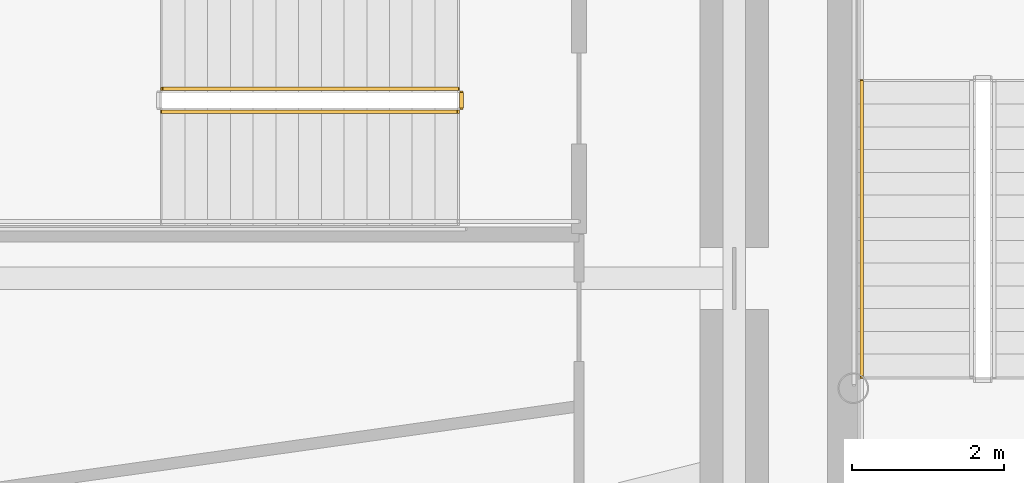
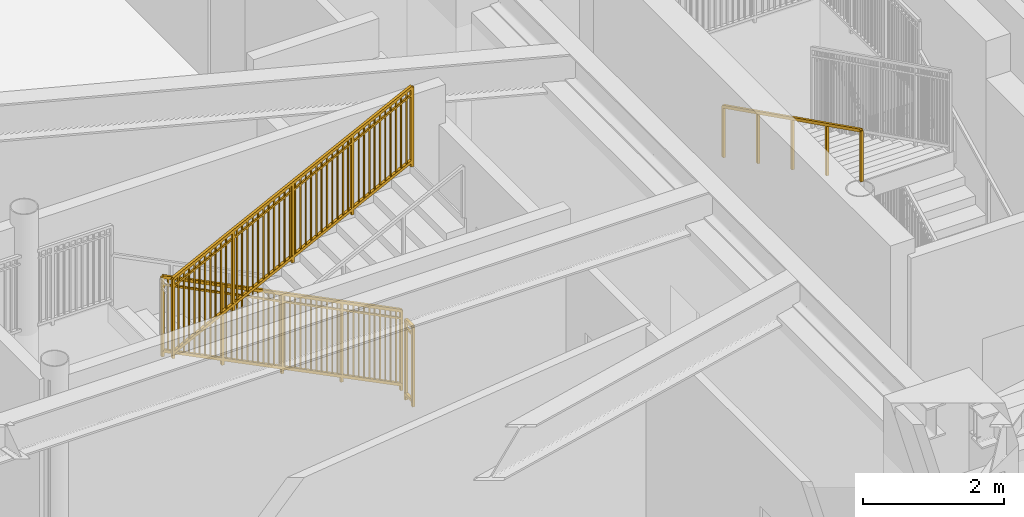
# One storey, part 23 of 32: 4 railings.
"""IFC4 building model written with IfcOpenShell, lengths in metres."""

from ifc_helpers import new_model, si_unit, direction, frame, origin, origin_2d, place, context, subcontext, project, spatial, rectangle, extrude, source, transform, mapped, material, type_object, element, save


model = new_model("IFC4")

# Units and contexts
model_context = context("Model", 3, precision=1e-05, world=origin(), true_north=direction((0.0, 1.0)))
body_context = subcontext(model_context, "Body", "Model", "MODEL_VIEW")
ifc_project = project(units=[si_unit("LENGTHUNIT", "METRE"), si_unit("AREAUNIT", "SQUARE_METRE"), si_unit("VOLUMEUNIT", "CUBIC_METRE"), si_unit("PLANEANGLEUNIT", "RADIAN"), si_unit("MASSUNIT", "GRAM", prefix="KILO")], contexts=[model_context])

# Site, building, storey
site_placement = place(None, origin())
site = spatial("IfcSite", under=ifc_project, at=site_placement, CompositionType="ELEMENT")
building_placement = place(site_placement, origin())
building = spatial("IfcBuilding", under=site, at=building_placement, Name="Linh Dai School and Residence Tower", CompositionType="ELEMENT")
storey_placement = place(building_placement, frame((0.0, 0.0, 40.800048828125)))
storey = spatial("IfcBuildingStorey", under=building, at=storey_placement, Name="L09", CompositionType="ELEMENT", Elevation=40.800048828125)

# Railings
ifc_material_1 = material(Name="Brushed Stainless Steel Handrail", Category="steel")
railing_type_1 = type_object("IfcRailingType", Name="RL-ST-HANDRAIL-900", PredefinedType="HANDRAIL", material=ifc_material_1)
shared_shape_1 = source(origin(), body_context, "Body", "SweptSolid", [
    extrude(rectangle(XDim=0.048095703125, YDim=0.048095703125, at=origin_2d()), frame((0.0, 0.0, 0.8759765625), z_axis=(0.0, -0.894438388696, 0.447191199406), x_axis=(1.0, 0.0, 0.0)), (0.0, 0.0, 1.0), 4.3603515625),
    extrude(rectangle(XDim=0.0419921875, YDim=0.0419921875, at=origin_2d()), origin(), (0.0, 0.0, 1.0), 0.8759765625),
    extrude(rectangle(XDim=0.0419921875, YDim=0.0419921875, at=origin_2d()), frame((0.0, -0.97509765625, 0.487548828125)), (0.0, 0.0, 1.0), 0.8759765625),
    extrude(rectangle(XDim=0.0419921875, YDim=0.0419921875, at=origin_2d()), frame((0.0, -1.9501953125, 0.97509765625)), (0.0, 0.0, 1.0), 0.8759765625),
    extrude(rectangle(XDim=0.0419921875, YDim=0.0419921875, at=origin_2d()), frame((0.0, -2.925048828125, 1.46240234375)), (0.0, 0.0, 1.0), 0.8759765625),
    extrude(rectangle(XDim=0.0419921875, YDim=0.0419921875, at=origin_2d()), frame((0.0, -3.900146484375, 1.949951171875)), (0.0, 0.0, 1.0), 0.8759765625),
])
railing_1_placement = place(storey_placement, frame((27.72998046875, 29.60009765625, 2.25)))
element("IfcRailing", 1, at=railing_1_placement, inside=storey, type_object=railing_type_1, Name="L09 ST1 stair handrail 2", PredefinedType="HANDRAIL", context=body_context, shape_type="MappedRepresentation", body=[
    mapped(shared_shape_1, transform((0.0, 0.0, 0.0), x_axis=(1.0, 0.0, 0.0), y_axis=(0.0, 1.0, 0.0), z_axis=(0.0, 0.0, 1.0), scale=1.0)),
])
ifc_material_2 = material(Name="Structural Steel S355JR", Category="steel")
railing_type_2 = type_object("IfcRailingType", Name="RL-ST-GUARD-1400", PredefinedType="GUARDRAIL", material=ifc_material_2)
shared_shape_2 = source(origin(), body_context, "Body", "SweptSolid", [
    extrude(rectangle(XDim=0.048095703125, YDim=0.048095703125, at=origin_2d()), frame((0.0, 0.0, 1.3759765625), z_axis=(0.0, -1.0, 0.0), x_axis=(1.0, 0.0, 0.0)), (0.0, 0.0, 1.0), 0.199951171875),
    extrude(rectangle(XDim=0.048095703125, YDim=0.048095703125, at=origin_2d()), frame((0.0, 0.0, 0.10009765625), z_axis=(0.0, -1.0, 0.0), x_axis=(1.0, 0.0, 0.0)), (0.0, 0.0, 1.0), 0.199951171875),
    extrude(rectangle(XDim=0.030029296875, YDim=0.030029296875, at=origin_2d()), frame((0.0, 0.0, 1.239990234375), z_axis=(0.0, -1.0, 0.0), x_axis=(1.0, 0.0, 0.0)), (0.0, 0.0, 1.0), 0.199951171875),
    extrude(rectangle(XDim=0.0419921875, YDim=0.0419921875, at=origin_2d()), origin(), (0.0, 0.0, 1.0), 1.3759765625),
    extrude(rectangle(XDim=0.0419921875, YDim=0.0419921875, at=origin_2d()), frame((0.0, -0.199951171875, 0.0)), (0.0, 0.0, 1.0), 1.3759765625),
])
railing_2_placement = place(storey_placement, frame((22.449951171875, 29.449951171875, 0.0)))
element("IfcRailing", 2, at=railing_2_placement, inside=storey, type_object=railing_type_2, Name="L09 STS1 stair guard 7", PredefinedType="GUARDRAIL", context=body_context, shape_type="MappedRepresentation", body=[
    mapped(shared_shape_2, transform((0.0, 0.0, 0.0), x_axis=(1.0, 0.0, 0.0), y_axis=(0.0, 1.0, 0.0), z_axis=(0.0, 0.0, 1.0), scale=1.0)),
])
shared_shape_3 = source(origin(), body_context, "Body", "SweptSolid", [
    extrude(rectangle(XDim=0.048095703125, YDim=0.048095703125, at=origin_2d()), frame((0.0, 0.0, 1.3759765625), z_axis=(0.894427191, 0.0, 0.4472135955), x_axis=(0.0, 1.0, 0.0)), (0.0, 0.0, 1.0), 4.360107421875),
    extrude(rectangle(XDim=0.048095703125, YDim=0.048095703125, at=origin_2d()), frame((0.0, 0.0, 0.10009765625), z_axis=(0.894427191, 0.0, 0.4472135955), x_axis=(0.0, 1.0, 0.0)), (0.0, 0.0, 1.0), 4.360107421875),
    extrude(rectangle(XDim=0.030029296875, YDim=0.030029296875, at=origin_2d()), frame((0.0, 0.0, 1.239990234375), z_axis=(0.894427191, 0.0, 0.4472135955), x_axis=(0.0, 1.0, 0.0)), (0.0, 0.0, 1.0), 4.360107421875),
    extrude(rectangle(XDim=0.02001953125, YDim=0.02001953125, at=origin_2d()), frame((0.086669921875, 0.0, 0.143310546875)), (0.0, 0.0, 1.0), 1.251708984375),
    extrude(rectangle(XDim=0.02001953125, YDim=0.02001953125, at=origin_2d()), frame((0.17333984375, 0.0, 0.186767578125)), (0.0, 0.0, 1.0), 1.251708984375),
    extrude(rectangle(XDim=0.02001953125, YDim=0.02001953125, at=origin_2d()), frame((0.260009765625, 0.0, 0.22998046875)), (0.0, 0.0, 1.0), 1.251708984375),
    extrude(rectangle(XDim=0.02001953125, YDim=0.02001953125, at=origin_2d()), frame((0.3466796875, 0.0, 0.2734375)), (0.0, 0.0, 1.0), 1.251708984375),
    extrude(rectangle(XDim=0.02001953125, YDim=0.02001953125, at=origin_2d()), frame((0.433349609375, 0.0, 0.316650390625)), (0.0, 0.0, 1.0), 1.251708984375),
    extrude(rectangle(XDim=0.02001953125, YDim=0.02001953125, at=origin_2d()), frame((0.52001953125, 0.0, 0.360107421875)), (0.0, 0.0, 1.0), 1.251708984375),
    extrude(rectangle(XDim=0.02001953125, YDim=0.02001953125, at=origin_2d()), frame((0.606689453125, 0.0, 0.4033203125)), (0.0, 0.0, 1.0), 1.251708984375),
    extrude(rectangle(XDim=0.02001953125, YDim=0.02001953125, at=origin_2d()), frame((0.693359375, 0.0, 0.44677734375)), (0.0, 0.0, 1.0), 1.251708984375),
    extrude(rectangle(XDim=0.02001953125, YDim=0.02001953125, at=origin_2d()), frame((0.780029296875, 0.0, 0.489990234375)), (0.0, 0.0, 1.0), 1.251708984375),
    extrude(rectangle(XDim=0.02001953125, YDim=0.02001953125, at=origin_2d()), frame((0.86669921875, 0.0, 0.533447265625)), (0.0, 0.0, 1.0), 1.251708984375),
    extrude(rectangle(XDim=0.02001953125, YDim=0.02001953125, at=origin_2d()), frame((1.0400390625, 0.0, 0.6201171875)), (0.0, 0.0, 1.0), 1.251708984375),
    extrude(rectangle(XDim=0.02001953125, YDim=0.02001953125, at=origin_2d()), frame((1.126708984375, 0.0, 0.663330078125)), (0.0, 0.0, 1.0), 1.251708984375),
    extrude(rectangle(XDim=0.02001953125, YDim=0.02001953125, at=origin_2d()), frame((1.21337890625, 0.0, 0.706787109375)), (0.0, 0.0, 1.0), 1.251708984375),
    extrude(rectangle(XDim=0.02001953125, YDim=0.02001953125, at=origin_2d()), frame((1.300048828125, 0.0, 0.75)), (0.0, 0.0, 1.0), 1.251708984375),
    extrude(rectangle(XDim=0.02001953125, YDim=0.02001953125, at=origin_2d()), frame((1.38671875, 0.0, 0.79345703125)), (0.0, 0.0, 1.0), 1.251708984375),
    extrude(rectangle(XDim=0.02001953125, YDim=0.02001953125, at=origin_2d()), frame((1.473388671875, 0.0, 0.836669921875)), (0.0, 0.0, 1.0), 1.251708984375),
    extrude(rectangle(XDim=0.02001953125, YDim=0.02001953125, at=origin_2d()), frame((1.56005859375, 0.0, 0.880126953125)), (0.0, 0.0, 1.0), 1.251708984375),
    extrude(rectangle(XDim=0.02001953125, YDim=0.02001953125, at=origin_2d()), frame((1.646728515625, 0.0, 0.92333984375)), (0.0, 0.0, 1.0), 1.251708984375),
    extrude(rectangle(XDim=0.02001953125, YDim=0.02001953125, at=origin_2d()), frame((1.7333984375, 0.0, 0.966796875)), (0.0, 0.0, 1.0), 1.251708984375),
    extrude(rectangle(XDim=0.02001953125, YDim=0.02001953125, at=origin_2d()), frame((1.820068359375, 0.0, 1.010009765625)), (0.0, 0.0, 1.0), 1.251708984375),
    extrude(rectangle(XDim=0.02001953125, YDim=0.02001953125, at=origin_2d()), frame((1.90673828125, 0.0, 1.053466796875)), (0.0, 0.0, 1.0), 1.251708984375),
    extrude(rectangle(XDim=0.02001953125, YDim=0.02001953125, at=origin_2d()), frame((1.9931640625, 0.0, 1.0966796875)), (0.0, 0.0, 1.0), 1.251708984375),
    extrude(rectangle(XDim=0.02001953125, YDim=0.02001953125, at=origin_2d()), frame((2.079833984375, 0.0, 1.14013671875)), (0.0, 0.0, 1.0), 1.251708984375),
    extrude(rectangle(XDim=0.02001953125, YDim=0.02001953125, at=origin_2d()), frame((2.16650390625, 0.0, 1.183349609375)), (0.0, 0.0, 1.0), 1.251708984375),
    extrude(rectangle(XDim=0.02001953125, YDim=0.02001953125, at=origin_2d()), frame((2.253173828125, 0.0, 1.226806640625)), (0.0, 0.0, 1.0), 1.251708984375),
    extrude(rectangle(XDim=0.02001953125, YDim=0.02001953125, at=origin_2d()), frame((2.33984375, 0.0, 1.27001953125)), (0.0, 0.0, 1.0), 1.251708984375),
    extrude(rectangle(XDim=0.02001953125, YDim=0.02001953125, at=origin_2d()), frame((2.426513671875, 0.0, 1.3134765625)), (0.0, 0.0, 1.0), 1.251708984375),
    extrude(rectangle(XDim=0.02001953125, YDim=0.02001953125, at=origin_2d()), frame((2.51318359375, 0.0, 1.356689453125)), (0.0, 0.0, 1.0), 1.251708984375),
    extrude(rectangle(XDim=0.02001953125, YDim=0.02001953125, at=origin_2d()), frame((2.599853515625, 0.0, 1.400146484375)), (0.0, 0.0, 1.0), 1.251708984375),
    extrude(rectangle(XDim=0.02001953125, YDim=0.02001953125, at=origin_2d()), frame((2.6865234375, 0.0, 1.443359375)), (0.0, 0.0, 1.0), 1.251708984375),
    extrude(rectangle(XDim=0.02001953125, YDim=0.02001953125, at=origin_2d()), frame((2.773193359375, 0.0, 1.48681640625)), (0.0, 0.0, 1.0), 1.251708984375),
    extrude(rectangle(XDim=0.02001953125, YDim=0.02001953125, at=origin_2d()), frame((2.85986328125, 0.0, 1.530029296875)), (0.0, 0.0, 1.0), 1.251708984375),
    extrude(rectangle(XDim=0.02001953125, YDim=0.02001953125, at=origin_2d()), frame((3.033203125, 0.0, 1.61669921875)), (0.0, 0.0, 1.0), 1.251708984375),
    extrude(rectangle(XDim=0.02001953125, YDim=0.02001953125, at=origin_2d()), frame((3.119873046875, 0.0, 1.66015625)), (0.0, 0.0, 1.0), 1.251708984375),
    extrude(rectangle(XDim=0.02001953125, YDim=0.02001953125, at=origin_2d()), frame((3.20654296875, 0.0, 1.703369140625)), (0.0, 0.0, 1.0), 1.251708984375),
    extrude(rectangle(XDim=0.02001953125, YDim=0.02001953125, at=origin_2d()), frame((3.293212890625, 0.0, 1.746826171875)), (0.0, 0.0, 1.0), 1.251708984375),
    extrude(rectangle(XDim=0.02001953125, YDim=0.02001953125, at=origin_2d()), frame((3.3798828125, 0.0, 1.7900390625)), (0.0, 0.0, 1.0), 1.251708984375),
    extrude(rectangle(XDim=0.02001953125, YDim=0.02001953125, at=origin_2d()), frame((3.466552734375, 0.0, 1.83349609375)), (0.0, 0.0, 1.0), 1.251708984375),
    extrude(rectangle(XDim=0.02001953125, YDim=0.02001953125, at=origin_2d()), frame((3.55322265625, 0.0, 1.876708984375)), (0.0, 0.0, 1.0), 1.251708984375),
    extrude(rectangle(XDim=0.02001953125, YDim=0.02001953125, at=origin_2d()), frame((3.639892578125, 0.0, 1.920166015625)), (0.0, 0.0, 1.0), 1.251708984375),
    extrude(rectangle(XDim=0.02001953125, YDim=0.02001953125, at=origin_2d()), frame((3.7265625, 0.0, 1.96337890625)), (0.0, 0.0, 1.0), 1.251708984375),
    extrude(rectangle(XDim=0.02001953125, YDim=0.02001953125, at=origin_2d()), frame((3.813232421875, 0.0, 2.0068359375)), (0.0, 0.0, 1.0), 1.251708984375),
    extrude(rectangle(XDim=0.0419921875, YDim=0.0419921875, at=origin_2d()), origin(), (0.0, 0.0, 1.0), 1.3759765625),
    extrude(rectangle(XDim=0.0419921875, YDim=0.0419921875, at=origin_2d()), frame((0.97509765625, 0.0, 0.487548828125)), (0.0, 0.0, 1.0), 1.3759765625),
    extrude(rectangle(XDim=0.0419921875, YDim=0.0419921875, at=origin_2d()), frame((1.949951171875, 0.0, 0.97509765625)), (0.0, 0.0, 1.0), 1.3759765625),
    extrude(rectangle(XDim=0.0419921875, YDim=0.0419921875, at=origin_2d()), frame((2.9248046875, 0.0, 1.46240234375)), (0.0, 0.0, 1.0), 1.3759765625),
    extrude(rectangle(XDim=0.0419921875, YDim=0.0419921875, at=origin_2d()), frame((3.89990234375, 0.0, 1.949951171875)), (0.0, 0.0, 1.0), 1.3759765625),
])
railing_3_placement = place(storey_placement, frame((18.5, 29.199951171875, 2.25)))
element("IfcRailing", 3, at=railing_3_placement, inside=storey, type_object=railing_type_2, Name="L09 STS1 stair guard 6", PredefinedType="GUARDRAIL", context=body_context, shape_type="MappedRepresentation", body=[
    mapped(shared_shape_3, transform((0.0, 0.0, 0.0), x_axis=(1.0, 0.0, 0.0), y_axis=(0.0, 1.0, 0.0), z_axis=(0.0, 0.0, 1.0), scale=1.0)),
])
shared_shape_4 = source(origin(), body_context, "Body", "SweptSolid", [
    extrude(rectangle(XDim=0.048095703125, YDim=0.048095703125, at=origin_2d()), frame((0.0, 0.0, 1.3759765625), z_axis=(-0.894427191, 0.0, 0.4472135955), x_axis=(0.0, -1.0, 0.0)), (0.0, 0.0, 1.0), 4.360107421875),
    extrude(rectangle(XDim=0.048095703125, YDim=0.048095703125, at=origin_2d()), frame((0.0, 0.0, 0.10009765625), z_axis=(-0.894427191, 0.0, 0.4472135955), x_axis=(0.0, -1.0, 0.0)), (0.0, 0.0, 1.0), 4.360107421875),
    extrude(rectangle(XDim=0.030029296875, YDim=0.030029296875, at=origin_2d()), frame((0.0, 0.0, 1.239990234375), z_axis=(-0.894427191, 0.0, 0.4472135955), x_axis=(0.0, -1.0, 0.0)), (0.0, 0.0, 1.0), 4.360107421875),
    extrude(rectangle(XDim=0.02001953125, YDim=0.02001953125, at=origin_2d()), frame((-0.086669921875, 0.0, 0.143310546875)), (0.0, 0.0, 1.0), 1.251708984375),
    extrude(rectangle(XDim=0.02001953125, YDim=0.02001953125, at=origin_2d()), frame((-0.17333984375, 0.0, 0.186767578125)), (0.0, 0.0, 1.0), 1.251708984375),
    extrude(rectangle(XDim=0.02001953125, YDim=0.02001953125, at=origin_2d()), frame((-0.260009765625, 0.0, 0.22998046875)), (0.0, 0.0, 1.0), 1.251708984375),
    extrude(rectangle(XDim=0.02001953125, YDim=0.02001953125, at=origin_2d()), frame((-0.3466796875, 0.0, 0.2734375)), (0.0, 0.0, 1.0), 1.251708984375),
    extrude(rectangle(XDim=0.02001953125, YDim=0.02001953125, at=origin_2d()), frame((-0.433349609375, 0.0, 0.316650390625)), (0.0, 0.0, 1.0), 1.251708984375),
    extrude(rectangle(XDim=0.02001953125, YDim=0.02001953125, at=origin_2d()), frame((-0.52001953125, 0.0, 0.360107421875)), (0.0, 0.0, 1.0), 1.251708984375),
    extrude(rectangle(XDim=0.02001953125, YDim=0.02001953125, at=origin_2d()), frame((-0.606689453125, 0.0, 0.4033203125)), (0.0, 0.0, 1.0), 1.251708984375),
    extrude(rectangle(XDim=0.02001953125, YDim=0.02001953125, at=origin_2d()), frame((-0.693359375, 0.0, 0.44677734375)), (0.0, 0.0, 1.0), 1.251708984375),
    extrude(rectangle(XDim=0.02001953125, YDim=0.02001953125, at=origin_2d()), frame((-0.780029296875, 0.0, 0.489990234375)), (0.0, 0.0, 1.0), 1.251708984375),
    extrude(rectangle(XDim=0.02001953125, YDim=0.02001953125, at=origin_2d()), frame((-0.86669921875, 0.0, 0.533447265625)), (0.0, 0.0, 1.0), 1.251708984375),
    extrude(rectangle(XDim=0.02001953125, YDim=0.02001953125, at=origin_2d()), frame((-1.0400390625, 0.0, 0.6201171875)), (0.0, 0.0, 1.0), 1.251708984375),
    extrude(rectangle(XDim=0.02001953125, YDim=0.02001953125, at=origin_2d()), frame((-1.126708984375, 0.0, 0.663330078125)), (0.0, 0.0, 1.0), 1.251708984375),
    extrude(rectangle(XDim=0.02001953125, YDim=0.02001953125, at=origin_2d()), frame((-1.21337890625, 0.0, 0.706787109375)), (0.0, 0.0, 1.0), 1.251708984375),
    extrude(rectangle(XDim=0.02001953125, YDim=0.02001953125, at=origin_2d()), frame((-1.300048828125, 0.0, 0.75)), (0.0, 0.0, 1.0), 1.251708984375),
    extrude(rectangle(XDim=0.02001953125, YDim=0.02001953125, at=origin_2d()), frame((-1.38671875, 0.0, 0.79345703125)), (0.0, 0.0, 1.0), 1.251708984375),
    extrude(rectangle(XDim=0.02001953125, YDim=0.02001953125, at=origin_2d()), frame((-1.473388671875, 0.0, 0.836669921875)), (0.0, 0.0, 1.0), 1.251708984375),
    extrude(rectangle(XDim=0.02001953125, YDim=0.02001953125, at=origin_2d()), frame((-1.56005859375, 0.0, 0.880126953125)), (0.0, 0.0, 1.0), 1.251708984375),
    extrude(rectangle(XDim=0.02001953125, YDim=0.02001953125, at=origin_2d()), frame((-1.646728515625, 0.0, 0.92333984375)), (0.0, 0.0, 1.0), 1.251708984375),
    extrude(rectangle(XDim=0.02001953125, YDim=0.02001953125, at=origin_2d()), frame((-1.7333984375, 0.0, 0.966796875)), (0.0, 0.0, 1.0), 1.251708984375),
    extrude(rectangle(XDim=0.02001953125, YDim=0.02001953125, at=origin_2d()), frame((-1.820068359375, 0.0, 1.010009765625)), (0.0, 0.0, 1.0), 1.251708984375),
    extrude(rectangle(XDim=0.02001953125, YDim=0.02001953125, at=origin_2d()), frame((-1.90673828125, 0.0, 1.053466796875)), (0.0, 0.0, 1.0), 1.251708984375),
    extrude(rectangle(XDim=0.02001953125, YDim=0.02001953125, at=origin_2d()), frame((-1.9931640625, 0.0, 1.0966796875)), (0.0, 0.0, 1.0), 1.251708984375),
    extrude(rectangle(XDim=0.02001953125, YDim=0.02001953125, at=origin_2d()), frame((-2.079833984375, 0.0, 1.14013671875)), (0.0, 0.0, 1.0), 1.251708984375),
    extrude(rectangle(XDim=0.02001953125, YDim=0.02001953125, at=origin_2d()), frame((-2.16650390625, 0.0, 1.183349609375)), (0.0, 0.0, 1.0), 1.251708984375),
    extrude(rectangle(XDim=0.02001953125, YDim=0.02001953125, at=origin_2d()), frame((-2.253173828125, 0.0, 1.226806640625)), (0.0, 0.0, 1.0), 1.251708984375),
    extrude(rectangle(XDim=0.02001953125, YDim=0.02001953125, at=origin_2d()), frame((-2.33984375, 0.0, 1.27001953125)), (0.0, 0.0, 1.0), 1.251708984375),
    extrude(rectangle(XDim=0.02001953125, YDim=0.02001953125, at=origin_2d()), frame((-2.426513671875, 0.0, 1.3134765625)), (0.0, 0.0, 1.0), 1.251708984375),
    extrude(rectangle(XDim=0.02001953125, YDim=0.02001953125, at=origin_2d()), frame((-2.51318359375, 0.0, 1.356689453125)), (0.0, 0.0, 1.0), 1.251708984375),
    extrude(rectangle(XDim=0.02001953125, YDim=0.02001953125, at=origin_2d()), frame((-2.599853515625, 0.0, 1.400146484375)), (0.0, 0.0, 1.0), 1.251708984375),
    extrude(rectangle(XDim=0.02001953125, YDim=0.02001953125, at=origin_2d()), frame((-2.6865234375, 0.0, 1.443359375)), (0.0, 0.0, 1.0), 1.251708984375),
    extrude(rectangle(XDim=0.02001953125, YDim=0.02001953125, at=origin_2d()), frame((-2.773193359375, 0.0, 1.48681640625)), (0.0, 0.0, 1.0), 1.251708984375),
    extrude(rectangle(XDim=0.02001953125, YDim=0.02001953125, at=origin_2d()), frame((-2.85986328125, 0.0, 1.530029296875)), (0.0, 0.0, 1.0), 1.251708984375),
    extrude(rectangle(XDim=0.02001953125, YDim=0.02001953125, at=origin_2d()), frame((-3.033203125, 0.0, 1.61669921875)), (0.0, 0.0, 1.0), 1.251708984375),
    extrude(rectangle(XDim=0.02001953125, YDim=0.02001953125, at=origin_2d()), frame((-3.119873046875, 0.0, 1.66015625)), (0.0, 0.0, 1.0), 1.251708984375),
    extrude(rectangle(XDim=0.02001953125, YDim=0.02001953125, at=origin_2d()), frame((-3.20654296875, 0.0, 1.703369140625)), (0.0, 0.0, 1.0), 1.251708984375),
    extrude(rectangle(XDim=0.02001953125, YDim=0.02001953125, at=origin_2d()), frame((-3.293212890625, 0.0, 1.746826171875)), (0.0, 0.0, 1.0), 1.251708984375),
    extrude(rectangle(XDim=0.02001953125, YDim=0.02001953125, at=origin_2d()), frame((-3.3798828125, 0.0, 1.7900390625)), (0.0, 0.0, 1.0), 1.251708984375),
    extrude(rectangle(XDim=0.02001953125, YDim=0.02001953125, at=origin_2d()), frame((-3.466552734375, 0.0, 1.83349609375)), (0.0, 0.0, 1.0), 1.251708984375),
    extrude(rectangle(XDim=0.02001953125, YDim=0.02001953125, at=origin_2d()), frame((-3.55322265625, 0.0, 1.876708984375)), (0.0, 0.0, 1.0), 1.251708984375),
    extrude(rectangle(XDim=0.02001953125, YDim=0.02001953125, at=origin_2d()), frame((-3.639892578125, 0.0, 1.920166015625)), (0.0, 0.0, 1.0), 1.251708984375),
    extrude(rectangle(XDim=0.02001953125, YDim=0.02001953125, at=origin_2d()), frame((-3.7265625, 0.0, 1.96337890625)), (0.0, 0.0, 1.0), 1.251708984375),
    extrude(rectangle(XDim=0.02001953125, YDim=0.02001953125, at=origin_2d()), frame((-3.813232421875, 0.0, 2.0068359375)), (0.0, 0.0, 1.0), 1.251708984375),
    extrude(rectangle(XDim=0.0419921875, YDim=0.0419921875, at=origin_2d()), origin(), (0.0, 0.0, 1.0), 1.3759765625),
    extrude(rectangle(XDim=0.0419921875, YDim=0.0419921875, at=origin_2d()), frame((-0.97509765625, 0.0, 0.487548828125)), (0.0, 0.0, 1.0), 1.3759765625),
    extrude(rectangle(XDim=0.0419921875, YDim=0.0419921875, at=origin_2d()), frame((-1.949951171875, 0.0, 0.97509765625)), (0.0, 0.0, 1.0), 1.3759765625),
    extrude(rectangle(XDim=0.0419921875, YDim=0.0419921875, at=origin_2d()), frame((-2.9248046875, 0.0, 1.46240234375)), (0.0, 0.0, 1.0), 1.3759765625),
    extrude(rectangle(XDim=0.0419921875, YDim=0.0419921875, at=origin_2d()), frame((-3.89990234375, 0.0, 1.949951171875)), (0.0, 0.0, 1.0), 1.3759765625),
])
railing_4_placement = place(storey_placement, frame((22.39990234375, 29.5, 0.14990234375)))
element("IfcRailing", 4, at=railing_4_placement, inside=storey, type_object=railing_type_2, Name="L09 STS1 stair guard 1", PredefinedType="GUARDRAIL", context=body_context, shape_type="MappedRepresentation", body=[
    mapped(shared_shape_4, transform((0.0, 0.0, 0.0), x_axis=(1.0, 0.0, 0.0), y_axis=(0.0, 1.0, 0.0), z_axis=(0.0, 0.0, 1.0), scale=1.0)),
])

save(model, "model.ifc")
